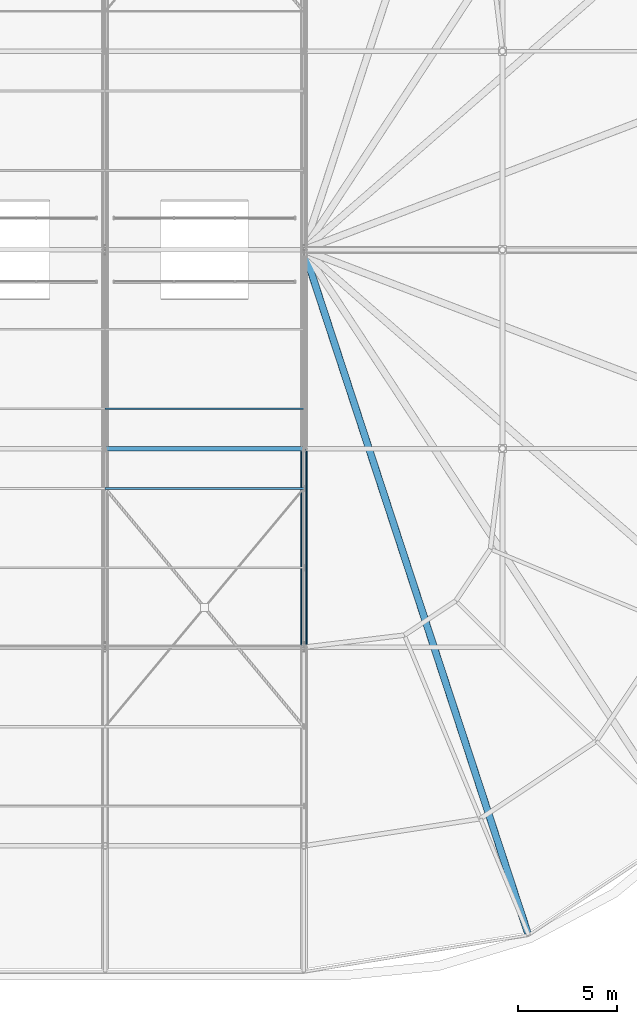
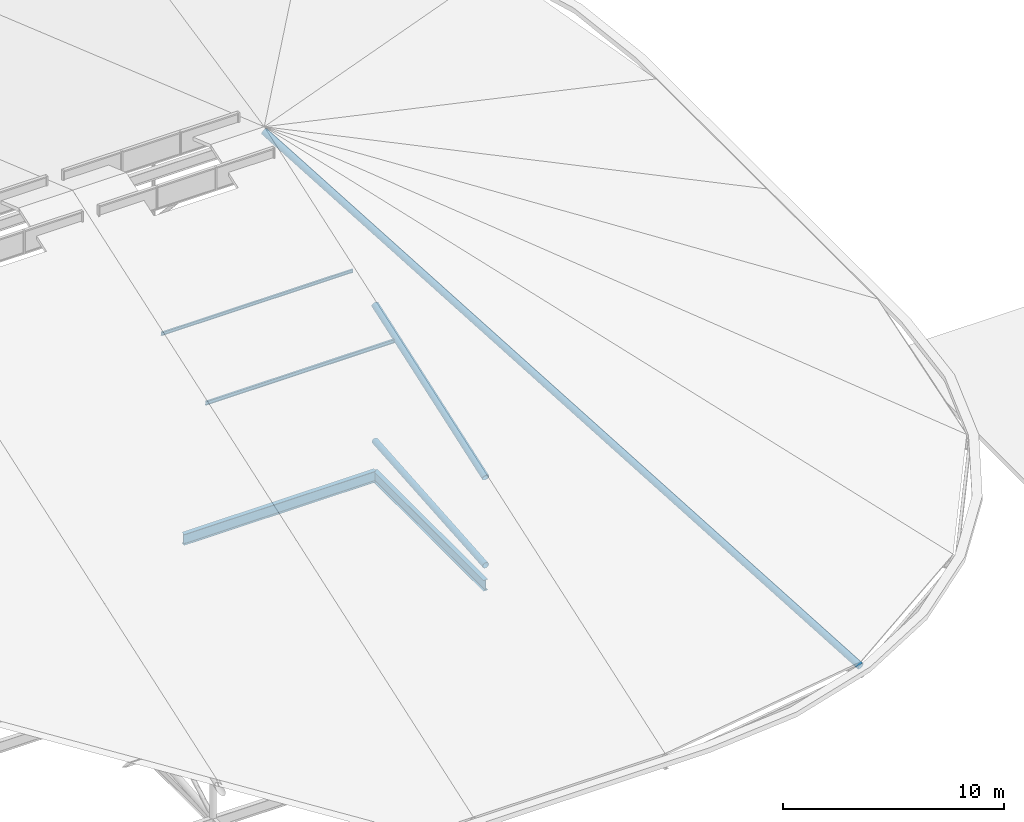
# One storey, part 63 of 93: 5 members, 2 beams.
"""IFC4 building model written with IfcOpenShell, lengths in metres."""

from ifc_helpers import new_model, si_unit, derived_unit, direction, frame, origin, origin_2d_with_axis, place, context, subcontext, project, spatial, hollow_circle, i_section, extrude, material, material_profile, profile_set, type_object, element, save


model = new_model("IFC4")

# Units and contexts
model_context = context("Model", 3, precision=1e-05, world=origin(), true_north=direction((0.0, 1.0)))
body_context = subcontext(model_context, "Body", "Model", "MODEL_VIEW")
ifc_project = project(units=[si_unit("LENGTHUNIT", "METRE"), si_unit("AREAUNIT", "SQUARE_METRE"), si_unit("VOLUMEUNIT", "CUBIC_METRE"), si_unit("PLANEANGLEUNIT", "RADIAN"), si_unit("MASSUNIT", "GRAM", prefix="KILO"), derived_unit("THERMALTRANSMITTANCEUNIT", [(si_unit("POWERUNIT", "WATT"), 1), (si_unit("LENGTHUNIT", "METRE"), -2), (si_unit("THERMODYNAMICTEMPERATUREUNIT", "KELVIN"), -1)])], contexts=[model_context])

# Site, building, storey
site_placement = place(None, origin())
site = spatial("IfcSite", under=ifc_project, at=site_placement, CompositionType="ELEMENT")
building_placement = place(site_placement, origin())
building = spatial("IfcBuilding", under=site, at=building_placement, Name="Cinnabar Yard Market Hall", CompositionType="ELEMENT")
storey_placement = place(building_placement, frame((0.0, 0.0, 23.800048828125)))
storey = spatial("IfcBuildingStorey", under=building, at=storey_placement, Name="ROOF", CompositionType="ELEMENT", Elevation=23.800048828125)

# Beams
ifc_material_1 = material(Name="Steel Grade 300 (300 MPa)", Category="steel")
ifc_material_profile_1 = material_profile(ifc_material_1, i_section(OverallWidth=0.22802734375, OverallDepth=0.60205078125, WebThickness=0.010498046875, FlangeThickness=0.014892578125, FilletRadius=0.013916015625, at=origin_2d_with_axis()), Name="610UB101")
ifc_profile_set_1 = profile_set([ifc_material_profile_1], Name="Steel Grade 300 (300 MPa)")
beam_type = type_object("IfcBeamType", Name="BM-B02", PredefinedType="BEAM", material=ifc_profile_set_1)
for number, where, z_axis, x_axis, name in (
    (1, (136.0, 34.0, -9.700927734375), (1.0, 0.0, 0.0), (0.0, 1.0, 0.0), "Hall Longitudinal Tie Girder 00386"),
    (2, (146.0, 24.0, -9.700927734375), (0.0, 1.0, 0.0), (-1.0, 0.0, 0.0), "Hall Transverse Tie Girder 00440"),
):
    element("IfcBeam", number, at=place(storey_placement, frame(where, z_axis=z_axis, x_axis=x_axis)), inside=storey, type_object=beam_type, Name=name, PredefinedType="BEAM", context=body_context, shape_type="SweptSolid", body=[
        extrude(i_section(OverallWidth=0.22802734375, OverallDepth=0.60205078125, WebThickness=0.010498046875, FlangeThickness=0.014892578125, FilletRadius=0.013916015625, at=origin_2d_with_axis()), origin(), (0.0, 0.0, 1.0), 10.0),
    ])

# Members
ifc_material_2 = material(Name="Cold-formed steel C350L0", Category="steel")
ifc_material_profile_2 = material_profile(ifc_material_2, hollow_circle(Radius=0.161865234375, WallThickness=0.009521484375, at=origin_2d_with_axis()), Name="323.9x9.5CHS")
ifc_profile_set_2 = profile_set([ifc_material_profile_2], Name="Cold-formed steel C350L0")
member_type_1 = type_object("IfcMemberType", Name="MB-BC01", PredefinedType="CHORD", material=ifc_profile_set_2)
member_1_placement = place(storey_placement, frame((146.0, 24.0, -8.60009765625), z_axis=(0.0, 0.99681489162, 0.07975005859), x_axis=(-1.0, 0.0, 0.0)))
element("IfcMember", 3, at=member_1_placement, inside=storey, type_object=member_type_1, Name="Hall Truss 146 Bottom Chord 2", PredefinedType="CHORD", context=body_context, shape_type="SweptSolid", body=[
    extrude(hollow_circle(Radius=0.161865234375, WallThickness=0.009521484375, at=origin_2d_with_axis()), origin(), (0.0, 0.0, 1.0), 10.031982421875),
])
ifc_material_profile_3 = material_profile(ifc_material_1, i_section(OverallWidth=0.09912109375, OverallDepth=0.197998046875, WebThickness=0.00439453125, FlangeThickness=0.007080078125, FilletRadius=0.0087890625, at=origin_2d_with_axis()), Name="200UB18.2")
ifc_profile_set_3 = profile_set([ifc_material_profile_3], Name="Steel Grade 300 (300 MPa)")
member_type_2 = type_object("IfcMemberType", Name="MB-PU05", PredefinedType="PURLIN", material=ifc_profile_set_3)
member_2_placement = place(storey_placement, frame((136.0, 32.0, -1.016845703125), z_axis=(1.0, 0.0, 0.0), x_axis=(0.0, 1.0, 0.0)))
element("IfcMember", 4, at=member_2_placement, inside=storey, type_object=member_type_2, Name="Hall Roof Purlin Y32 X136", PredefinedType="PURLIN", context=body_context, shape_type="SweptSolid", body=[
    extrude(i_section(OverallWidth=0.09912109375, OverallDepth=0.197998046875, WebThickness=0.00439453125, FlangeThickness=0.007080078125, FilletRadius=0.0087890625, at=origin_2d_with_axis()), origin(), (0.0, 0.0, 1.0), 10.0),
])
ifc_material_profile_4 = material_profile(ifc_material_1, i_section(OverallWidth=0.090087890625, OverallDepth=0.173095703125, WebThickness=0.00439453125, FlangeThickness=0.007080078125, FilletRadius=0.0087890625, at=origin_2d_with_axis()), Name="180UB16.1")
ifc_profile_set_4 = profile_set([ifc_material_profile_4], Name="Steel Grade 300 (300 MPa)")
member_type_3 = type_object("IfcMemberType", Name="MB-PU06", PredefinedType="PURLIN", material=ifc_profile_set_4)
member_3_placement = place(storey_placement, frame((136.0, 36.0, 0.37548828125), z_axis=(1.0, 0.0, 0.0), x_axis=(0.0, 1.0, 0.0)))
element("IfcMember", 5, at=member_3_placement, inside=storey, type_object=member_type_3, Name="Hall Roof Purlin Y36 X136", PredefinedType="PURLIN", context=body_context, shape_type="SweptSolid", body=[
    extrude(i_section(OverallWidth=0.090087890625, OverallDepth=0.173095703125, WebThickness=0.00439453125, FlangeThickness=0.007080078125, FilletRadius=0.0087890625, at=origin_2d_with_axis()), origin(), (0.0, 0.0, 1.0), 10.0),
])
ifc_material_profile_5 = material_profile(ifc_material_2, hollow_circle(Radius=0.177734375, WallThickness=0.0126953125, at=origin_2d_with_axis()), Name="355.6x12.7CHS")
ifc_profile_set_5 = profile_set([ifc_material_profile_5], Name="Cold-formed steel C350L0")
member_type_4 = type_object("IfcMemberType", Name="MB-TC01", PredefinedType="CHORD", material=ifc_profile_set_5)
member_4_placement = place(storey_placement, frame((146.0, 24.0, -3.76123046875), z_axis=(0.0, 0.944432077625, 0.328706633267), x_axis=(-1.0, 0.0, 0.0)))
element("IfcMember", 6, at=member_4_placement, inside=storey, type_object=member_type_4, Name="Hall Truss 146 Top Chord 2", PredefinedType="CHORD", context=body_context, shape_type="SweptSolid", body=[
    extrude(hollow_circle(Radius=0.177734375, WallThickness=0.0126953125, at=origin_2d_with_axis()), origin(), (0.0, 0.0, 1.0), 10.58837890625),
])
member_5_placement = place(storey_placement, frame((146.0, 44.0, 3.199951171875), z_axis=(0.294105928057, -0.897333924239, -0.32907982541), x_axis=(0.950261487269, 0.31145321609, 0.0)))
element("IfcMember", 7, at=member_5_placement, inside=storey, type_object=member_type_4, Name="East Apsidal Hip Rafter 01", PredefinedType="CHORD", context=body_context, shape_type="SweptSolid", body=[
    extrude(hollow_circle(Radius=0.177734375, WallThickness=0.0126953125, at=origin_2d_with_axis()), origin(), (0.0, 0.0, 1.0), 38.288818359375),
])

save(model, "model.ifc")
